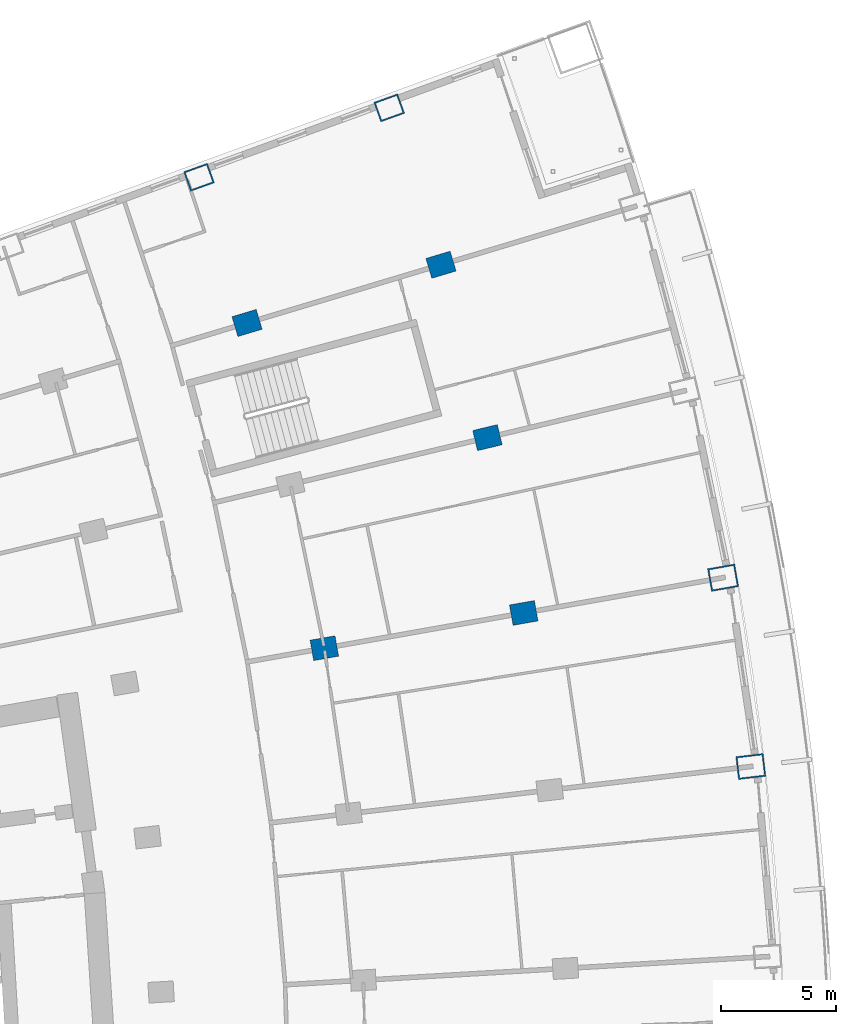
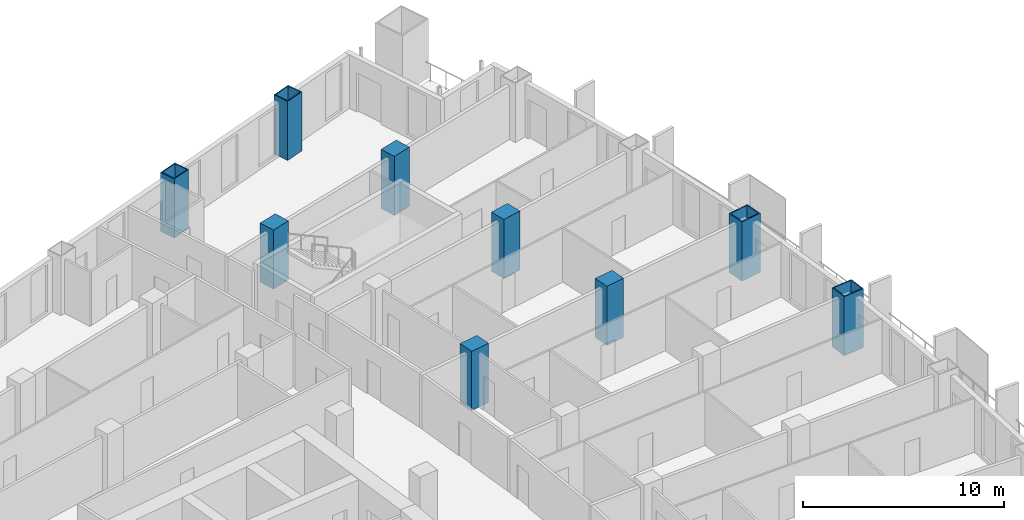
# One storey, part 10 of 25: 9 columns.
"""IFC4 building model written with IfcOpenShell, lengths in metres."""

from ifc_helpers import new_model, si_unit, direction, frame, origin, origin_2d, place, context, subcontext, project, spatial, rectangle, hollow_rectangle, extrude, material, material_profile, profile_set, type_object, element, save


model = new_model("IFC4")

# Units and contexts
model_context = context("Model", 3, precision=1e-05, world=origin(), true_north=direction((0.0, 1.0)))
body_context = subcontext(model_context, "Body", "Model", "MODEL_VIEW")
ifc_project = project(units=[si_unit("LENGTHUNIT", "METRE"), si_unit("AREAUNIT", "SQUARE_METRE"), si_unit("VOLUMEUNIT", "CUBIC_METRE"), si_unit("PLANEANGLEUNIT", "RADIAN"), si_unit("MASSUNIT", "GRAM", prefix="KILO")], contexts=[model_context])

# Site, building, storey
site_placement = place(None, origin())
site = spatial("IfcSite", under=ifc_project, at=site_placement, CompositionType="ELEMENT")
building_placement = place(site_placement, origin())
building = spatial("IfcBuilding", under=site, at=building_placement, Name="Alderwake Tower", CompositionType="ELEMENT")
storey_placement = place(building_placement, frame((0.0, 0.0, 68.0)))
storey = spatial("IfcBuildingStorey", under=building, at=storey_placement, Name="L16", CompositionType="ELEMENT", Elevation=68.0)

# Columns
ifc_material_1 = material(Name="Steel ASTM A572 Grade 50 concrete filled C70/85", Category="concrete")
ifc_material_profile_1 = material_profile(ifc_material_1, hollow_rectangle(XDim=0.89990234375, YDim=1.10009765625, WallThickness=0.06005859375, at=origin_2d()), Name="BOX 1100X900X60")
ifc_profile_set_1 = profile_set([ifc_material_profile_1], Name="Steel ASTM A572 Grade 50 concrete filled C70/85")
column_type_1 = type_object("IfcColumnType", Name="End column Z1", PredefinedType="COLUMN", material=ifc_profile_set_1)
for number, where, z_axis, x_axis, name in (
    (1, (37.250244140625, 103.160888671875, 0.0), (0.0, 0.0, 1.0), (-0.3383700535, 0.941013127907, 0.0), "Column R13-C3"),
    (2, (45.516845703125, 106.178466796875, 0.0), (0.0, 0.0, 1.0), (-0.338668949173, 0.940905597213, 0.0), "Column R13-C4"),
):
    element("IfcColumn", number, at=place(storey_placement, frame(where, z_axis=z_axis, x_axis=x_axis)), inside=storey, type_object=column_type_1, Name=name, PredefinedType="COLUMN", context=body_context, shape_type="SweptSolid", body=[
        extrude(hollow_rectangle(XDim=0.89990234375, YDim=1.10009765625, WallThickness=0.06005859375, at=origin_2d()), origin(), (0.0, 0.0, 1.0), 3.60009765625),
    ])
ifc_material_2 = material(Name="Concrete C70/85", Category="concrete")
ifc_material_profile_2 = material_profile(ifc_material_2, rectangle(XDim=0.89990234375, YDim=1.10009765625, at=origin_2d()), Name="RC 1100X900")
ifc_profile_set_2 = profile_set([ifc_material_profile_2], Name="Concrete C70/85")
column_type_2 = type_object("IfcColumnType", Name="Interior column Z1", PredefinedType="COLUMN", material=ifc_profile_set_2)
for number, where, z_axis, x_axis, name in (
    (3, (42.697021484375, 82.69384765625, 0.0), (0.0, 0.0, 1.0), (-0.174108800747, 0.984726421654, 0.0), "Column R10-C3"),
    (4, (51.362548828125, 84.22607421875, 0.0), (0.0, 0.0, 1.0), (-0.174108800747, 0.984726421654, 0.0), "Column R10-C4"),
    (5, (49.784912109375, 91.844970703125, 0.0), (0.0, 0.0, 1.0), (-0.231221547198, 0.972901123502, 0.0), "Column R11-C4"),
    (6, (39.337646484375, 96.82861328125, 0.0), (0.0, 0.0, 1.0), (-0.287549418125, 0.957765802342, 0.0), "Column R12-C3"),
    (7, (47.76611328125, 99.35888671875, 0.0), (0.0, 0.0, 1.0), (-0.287549418125, 0.957765802342, 0.0), "Column R12-C4"),
):
    element("IfcColumn", number, at=place(storey_placement, frame(where, z_axis=z_axis, x_axis=x_axis)), inside=storey, type_object=column_type_2, Name=name, PredefinedType="COLUMN", context=body_context, shape_type="SweptSolid", body=[
        extrude(rectangle(XDim=0.89990234375, YDim=1.10009765625, at=origin_2d()), origin(), (0.0, 0.0, 1.0), 3.60009765625),
    ])
ifc_material_3 = material(Name="Steel ASTM A572 Grade 50 concrete filled C70/85", Category="concrete")
ifc_material_profile_3 = material_profile(ifc_material_3, hollow_rectangle(XDim=1.0, YDim=1.199951171875, WallThickness=0.06005859375, at=origin_2d()), Name="BOX 1200X1000X60")
ifc_profile_set_3 = profile_set([ifc_material_profile_3], Name="Steel ASTM A572 Grade 50 concrete filled C70/85")
column_type_3 = type_object("IfcColumnType", Name="Perimeter column Z1", PredefinedType="COLUMN", material=ifc_profile_set_3)
for number, where, z_axis, x_axis, name in (
    (8, (61.2333984375, 77.552490234375, 0.0), (0.0, 0.0, 1.0), (-0.116402054316, 0.993202175668, 0.0), "Column R09-C5"),
    (9, (60.028076171875, 85.75830078125, 0.0), (0.0, 0.0, 1.0), (-0.174108800747, 0.984726421654, 0.0), "Column R10-C5"),
):
    element("IfcColumn", number, at=place(storey_placement, frame(where, z_axis=z_axis, x_axis=x_axis)), inside=storey, type_object=column_type_3, Name=name, PredefinedType="COLUMN", context=body_context, shape_type="SweptSolid", body=[
        extrude(hollow_rectangle(XDim=1.0, YDim=1.199951171875, WallThickness=0.06005859375, at=origin_2d()), origin(), (0.0, 0.0, 1.0), 3.60009765625),
    ])

save(model, "model.ifc")
